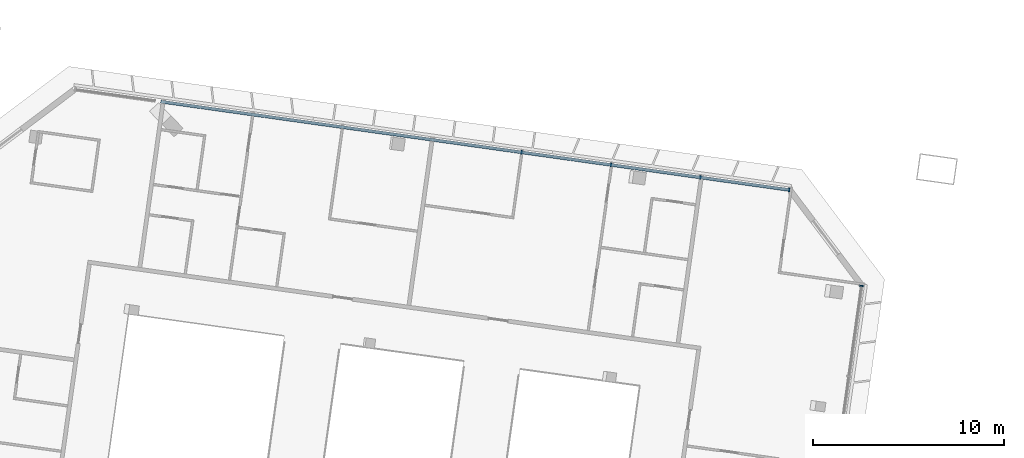
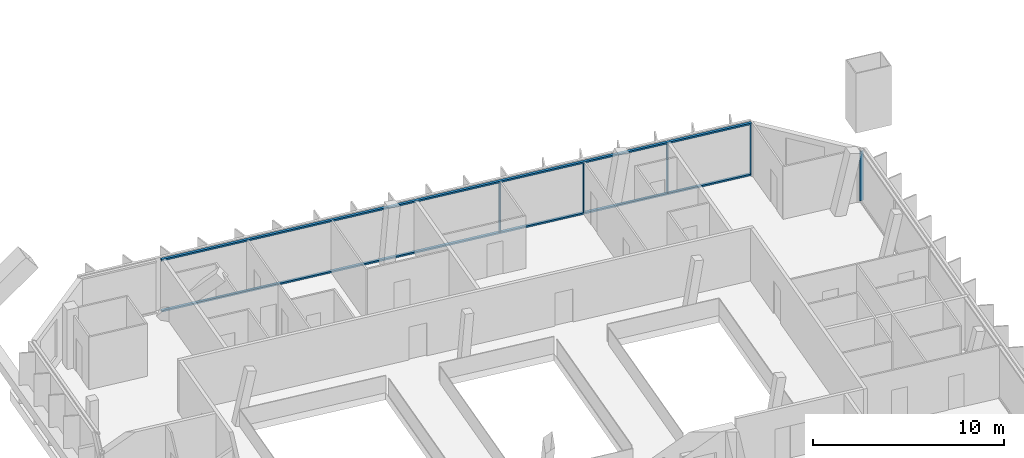
# One storey, part 7 of 25: 7 members, 2 elements without a shape of their own.
"""IFC4 building model written with IfcOpenShell, lengths in metres."""

from ifc_helpers import new_model, si_unit, direction, frame, origin, origin_2d, place, context, subcontext, project, spatial, rectangle, extrude, material, material_profile, profile_set, type_object, element, aggregate, save


model = new_model("IFC4")

# Units and contexts
model_context = context("Model", 3, precision=1e-05, world=origin(), true_north=direction((0.0, 1.0)))
body_context = subcontext(model_context, "Body", "Model", "MODEL_VIEW")
ifc_project = project(units=[si_unit("LENGTHUNIT", "METRE"), si_unit("AREAUNIT", "SQUARE_METRE"), si_unit("VOLUMEUNIT", "CUBIC_METRE"), si_unit("PLANEANGLEUNIT", "RADIAN"), si_unit("MASSUNIT", "GRAM", prefix="KILO")], contexts=[model_context])

# Site, building, storey
site_placement = place(None, origin())
site = spatial("IfcSite", under=ifc_project, at=site_placement, CompositionType="ELEMENT")
building_placement = place(site_placement, origin())
building = spatial("IfcBuilding", under=site, at=building_placement, Name="Mirante Cascada Hotel Towers", CompositionType="ELEMENT")
storey_placement = place(building_placement, frame((0.0, 0.0, 247.0)))
storey = spatial("IfcBuildingStorey", under=building, at=storey_placement, Name="L59", CompositionType="ELEMENT", Elevation=247.0)

# Curtain wall, members
ifc_material_1 = material(Name="Aluminium mullion and transom frame with clear laminated glass", Category="aluminium")
curtain_wall_type_1 = type_object("IfcCurtainWallType", Name="Ribbon curtain wall ECW1", PredefinedType="NOTDEFINED", material=ifc_material_1)
curtain_wall_1_placement = place(storey_placement, origin())
curtain_wall_1 = element("IfcCurtainWall", 1, at=curtain_wall_1_placement, inside=storey, type_object=curtain_wall_type_1, Name="Front ribbon wall T1 L59", PredefinedType="NOTDEFINED")
ifc_material_2 = material(Name="Anodised aluminium extrusion", Category="aluminium")
ifc_material_profile_1 = material_profile(ifc_material_2, rectangle(XDim=0.2, YDim=0.065, at=origin_2d()), Name="ECW1 MULLION 65x200")
ifc_profile_set_1 = profile_set([ifc_material_profile_1], Name="Anodised aluminium extrusion")
member_type_1 = type_object("IfcMemberType", Name="ECW1 mullion 65x200", PredefinedType="MULLION", material=ifc_profile_set_1)
member_1_placement = place(storey_placement, frame((-35.1139, 17.754, 0.1), z_axis=(0.0, 0.0, 1.0), x_axis=(0.1391731, 0.9902681, 0.0)))
member_1 = element("IfcMember", 2, at=member_1_placement, type_object=member_type_1, Name="ECW1 mullion 6", PredefinedType="MULLION", context=body_context, shape_type="SweptSolid", body=[
    extrude(rectangle(XDim=0.2, YDim=0.065, at=origin_2d()), origin(), (0.0, 0.0, 1.0), 3.15),
])
member_2_placement = place(storey_placement, frame((-30.435, 17.0964, 0.1), z_axis=(0.0, 0.0, 1.0), x_axis=(0.1391731, 0.9902681, 0.0)))
member_2 = element("IfcMember", 3, at=member_2_placement, type_object=member_type_1, Name="ECW1 mullion 7", PredefinedType="MULLION", context=body_context, shape_type="SweptSolid", body=[
    extrude(rectangle(XDim=0.2, YDim=0.065, at=origin_2d()), origin(), (0.0, 0.0, 1.0), 3.15),
])
member_3_placement = place(storey_placement, frame((-25.756, 16.4388, 0.1), z_axis=(0.0, 0.0, 1.0), x_axis=(0.1391731, 0.9902681, 0.0)))
member_3 = element("IfcMember", 4, at=member_3_placement, type_object=member_type_1, Name="ECW1 mullion 8", PredefinedType="MULLION", context=body_context, shape_type="SweptSolid", body=[
    extrude(rectangle(XDim=0.2, YDim=0.065, at=origin_2d()), origin(), (0.0, 0.0, 1.0), 3.15),
])
member_4_placement = place(storey_placement, frame((-21.1093, 15.7857, 0.1), z_axis=(0.0, 0.0, 1.0), x_axis=(0.1391731, 0.9902681, 0.0)))
member_4 = element("IfcMember", 5, at=member_4_placement, type_object=member_type_1, Name="ECW1 mullion 9", PredefinedType="MULLION", context=body_context, shape_type="SweptSolid", body=[
    extrude(rectangle(XDim=0.2, YDim=0.065, at=origin_2d()), origin(), (0.0, 0.0, 1.0), 3.15),
])
ifc_material_3 = material(Name="Anodised aluminium extrusion", Category="aluminium")
ifc_material_profile_2 = material_profile(ifc_material_3, rectangle(XDim=0.16, YDim=0.1, at=origin_2d()), Name="ECW1 TRANSOM 100x160")
ifc_profile_set_2 = profile_set([ifc_material_profile_2], Name="Anodised aluminium extrusion")
member_type_2 = type_object("IfcMemberType", Name="ECW1 transom 100x160", PredefinedType="USERDEFINED", material=ifc_profile_set_2)
member_5_placement = place(storey_placement, frame((-53.9982, 20.408, 0.05), z_axis=(0.9902679, -0.1391743, 0.0), x_axis=(0.1391743, 0.9902679, 0.0)))
member_5 = element("IfcMember", 6, at=member_5_placement, type_object=member_type_2, Name="ECW1 sill transom", ObjectType="TRANSOM", PredefinedType="USERDEFINED", context=body_context, shape_type="SweptSolid", body=[
    extrude(rectangle(XDim=0.16, YDim=0.1, at=origin_2d()), origin(), (0.0, 0.0, 1.0), 33.2446),
])
member_6_placement = place(storey_placement, frame((-53.9982, 20.408, 3.3), z_axis=(0.9902679, -0.1391743, 0.0), x_axis=(0.1391743, 0.9902679, 0.0)))
member_6 = element("IfcMember", 7, at=member_6_placement, type_object=member_type_2, Name="ECW1 head transom", ObjectType="TRANSOM", PredefinedType="USERDEFINED", context=body_context, shape_type="SweptSolid", body=[
    extrude(rectangle(XDim=0.16, YDim=0.1, at=origin_2d()), origin(), (0.0, 0.0, 1.0), 33.2446),
])
aggregate(curtain_wall_1, [member_5, member_6, member_1, member_2, member_3, member_4])

# Curtain wall, member
ifc_material_4 = material(Name="Aluminium mullion and transom frame with clear laminated glass", Category="aluminium")
curtain_wall_type_2 = type_object("IfcCurtainWallType", Name="End ribbon curtain wall ECW2", PredefinedType="NOTDEFINED", material=ifc_material_4)
curtain_wall_2_placement = place(storey_placement, origin())
curtain_wall_2 = element("IfcCurtainWall", 8, at=curtain_wall_2_placement, inside=storey, type_object=curtain_wall_type_2, Name="Inner end wall T1 L59", PredefinedType="NOTDEFINED")
ifc_material_5 = material(Name="Anodised aluminium extrusion", Category="aluminium")
ifc_material_profile_3 = material_profile(ifc_material_5, rectangle(XDim=0.2, YDim=0.065, at=origin_2d()), Name="ECW2 MULLION 65x200")
ifc_profile_set_3 = profile_set([ifc_material_profile_3], Name="Anodised aluminium extrusion")
member_type_3 = type_object("IfcMemberType", Name="ECW2 mullion 65x200", PredefinedType="MULLION", material=ifc_profile_set_3)
member_7_placement = place(storey_placement, frame((-17.3265, 10.7658, 0.1), z_axis=(0.0, 0.0, 1.0), x_axis=(0.9902681, -0.1391731, 0.0)))
member_7 = element("IfcMember", 9, at=member_7_placement, type_object=member_type_3, Name="ECW2 mullion 1", PredefinedType="MULLION", context=body_context, shape_type="SweptSolid", body=[
    extrude(rectangle(XDim=0.2, YDim=0.065, at=origin_2d()), origin(), (0.0, 0.0, 1.0), 3.15),
])
aggregate(curtain_wall_2, [member_7])

save(model, "model.ifc")
